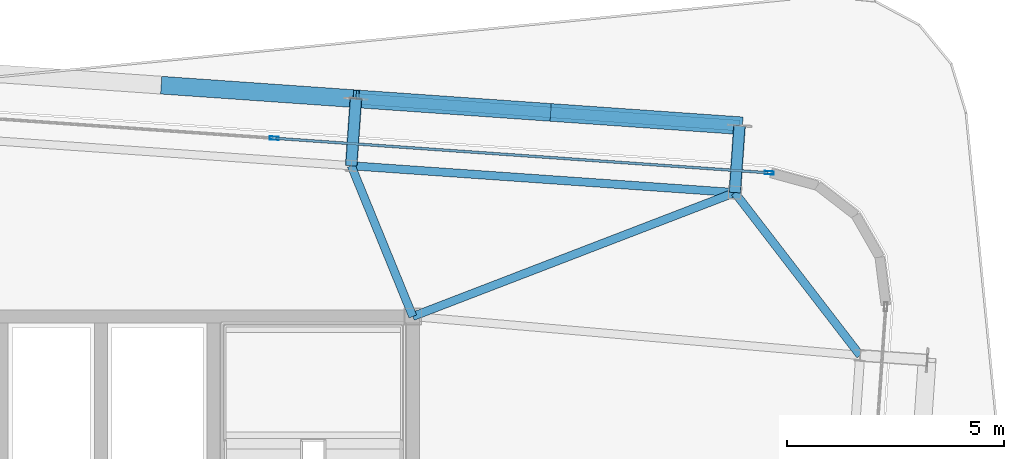
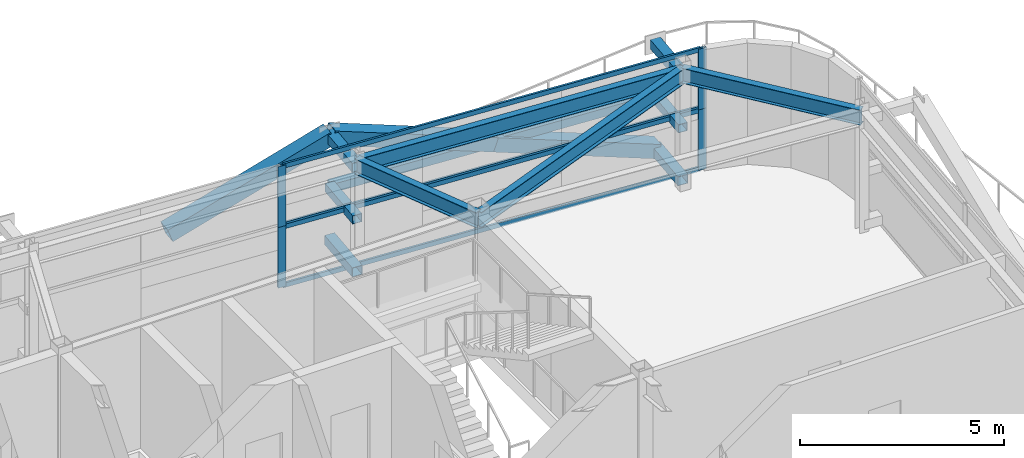
# One storey, part 22 of 36: 18 members, 4 beams, 2 elements without a shape of their own.
"""IFC4 building model written with IfcOpenShell, lengths in metres."""

import ifcopenshell
import ifcopenshell.guid

model = None  # the IFC model being written
_history = None  # IfcOwnerHistory: only IFC2X3 demands one
_inside = {}  # id of a spatial element -> (the spatial element, [elements in it])
_under = {}  # id of a project, library or spatial element -> (it, [spatial elements below it])
_declared = {}  # id of a project -> (the project, [libraries it declares])
_typed = {}  # id of a type object -> (the type object, [elements of that type])
_made_of = {}  # id of a material, layer set ... -> (it, [elements and type objects made of it])


def new_model(schema):
    """Start an empty IFC model of exactly this schema.

    Asked for "IFC4X3", IfcOpenShell would pick the latest addendum, in which some entities
    have other attributes; the version numbers below select the first issue.
    IFC2X3 requires an IfcOwnerHistory on every rooted entity: one is made here for all.
    """
    global model, _history
    if schema == "IFC4X3":
        model = ifcopenshell.file(schema_version=(4, 3, 0, 0))
    else:
        model = ifcopenshell.file(schema=schema)
    _inside.clear()
    _under.clear()
    _declared.clear()
    _typed.clear()
    _made_of.clear()
    _history = None
    if model.schema == "IFC2X3":
        org = make("IfcOrganization", Name="unknown")
        user = make(
            "IfcPersonAndOrganization",
            ThePerson=make("IfcPerson", FamilyName="unknown"),
            TheOrganization=org,
        )
        app = make(
            "IfcApplication",
            ApplicationDeveloper=org,
            Version="unknown",
            ApplicationFullName="unknown",
            ApplicationIdentifier="unknown",
        )
        _history = make(
            "IfcOwnerHistory",
            OwningUser=user,
            OwningApplication=app,
            ChangeAction="ADDED",
            CreationDate=0,
        )
    return model


def make(cls, **values):
    """One entity of the class cls with the attributes given. An attribute that is None is left unset."""
    return model.create_entity(
        cls, **{name: value for name, value in values.items() if value is not None}
    )


def rooted(cls, **values):
    """An entity with a GlobalId (a new one), such as an element, a storey or a relation."""
    return make(cls, GlobalId=ifcopenshell.guid.new(), OwnerHistory=_history, **values)


def si_unit(unit_type, name, prefix=None):
    """IfcSIUnit, for example si_unit("LENGTHUNIT", "METRE", prefix="MILLI")."""
    return make("IfcSIUnit", UnitType=unit_type, Prefix=prefix, Name=name)


def assignment(units):
    """IfcUnitAssignment: the units of a project."""
    return None if units is None else make("IfcUnitAssignment", Units=units)


def point(xyz):
    """IfcCartesianPoint."""
    return None if xyz is None else make("IfcCartesianPoint", Coordinates=xyz)


def direction(xyz):
    """IfcDirection."""
    return None if xyz is None else make("IfcDirection", DirectionRatios=xyz)


def frame(location, z_axis=None, x_axis=None):
    """IfcAxis2Placement3D, a coordinate frame: its origin and axes. An axis left out is left unset."""
    return make(
        "IfcAxis2Placement3D",
        Location=point(location),
        Axis=direction(z_axis),
        RefDirection=direction(x_axis),
    )


def frame_2d(location, x_axis=None):
    """IfcAxis2Placement2D, a coordinate frame in the plane: its origin and x axis."""
    return make(
        "IfcAxis2Placement2D", Location=point(location), RefDirection=direction(x_axis)
    )


def origin():
    """The frame at (0, 0, 0) with its axes left unset."""
    return frame((0.0, 0.0, 0.0))


def origin_2d():
    """The frame at (0, 0) in the plane with its x axis left unset."""
    return frame_2d((0.0, 0.0))


def place(relative_to, where):
    """IfcLocalPlacement: puts the frame where relative to a parent placement (None: the world)."""
    return make(
        "IfcLocalPlacement", PlacementRelTo=relative_to, RelativePlacement=where
    )


def context(
    kind, dimensions, precision=None, world=None, true_north=None, identifier=None
):
    """IfcGeometricRepresentationContext, for example the 3D "Model" context."""
    return make(
        "IfcGeometricRepresentationContext",
        ContextIdentifier=identifier,
        ContextType=kind,
        CoordinateSpaceDimension=dimensions,
        Precision=precision,
        WorldCoordinateSystem=world,
        TrueNorth=true_north,
    )


def subcontext(parent, identifier, kind, view, scale=None):
    """IfcGeometricRepresentationSubContext, for example "Body" below "Model"."""
    return make(
        "IfcGeometricRepresentationSubContext",
        ContextIdentifier=identifier,
        ContextType=kind,
        ParentContext=parent,
        TargetScale=scale,
        TargetView=view,
    )


def project(units=None, contexts=None):
    """IfcProject with its units and contexts."""
    return rooted(
        "IfcProject",
        Name="project",
        RepresentationContexts=contexts,
        UnitsInContext=assignment(units),
    )


def spatial(cls, under=None, at=None, **own):
    """A site, building, storey or space (cls), placed at a placement, below another one or the project."""
    s = rooted(cls, ObjectPlacement=at, **own)
    if under is not None:
        _under.setdefault(under.id(), (under, []))[1].append(s)
    return s


def profile(cls, at=None, kind="AREA", **sizes):
    """A parametric profile (cls). Its sizes go by their IFC names, for example OverallWidth=200.0."""
    return make(cls, ProfileType=kind, Position=at, **sizes)


def hollow_rectangle(**sizes):
    """IfcRectangleHollowProfileDef."""
    return profile("IfcRectangleHollowProfileDef", **sizes)


def i_section(**sizes):
    """IfcIShapeProfileDef."""
    return profile("IfcIShapeProfileDef", **sizes)


def extrude(swept, where, along, depth):
    """IfcExtrudedAreaSolid: the profile swept, set in the frame where, extruded along a direction by depth."""
    return make(
        "IfcExtrudedAreaSolid",
        SweptArea=swept,
        Position=where,
        ExtrudedDirection=direction(along),
        Depth=depth,
    )


def shape(context_of_items, identifier, shape_type, items):
    """IfcShapeRepresentation: the items that make up one representation, for example the "Body"."""
    return make(
        "IfcShapeRepresentation",
        ContextOfItems=context_of_items,
        RepresentationIdentifier=identifier,
        RepresentationType=shape_type,
        Items=items,
    )


def source(mapping_origin, context_of_items, identifier, shape_type, items):
    """IfcRepresentationMap: a shape defined once, which mapped items show again and again."""
    return make(
        "IfcRepresentationMap",
        MappingOrigin=mapping_origin,
        MappedRepresentation=shape(context_of_items, identifier, shape_type, items),
    )


def transform(
    local_origin,
    x_axis=None,
    y_axis=None,
    z_axis=None,
    scale=None,
    scale2=None,
    scale3=None,
    uniform=True,
):
    """IfcCartesianTransformationOperator3D, or its non-uniform kind. x_axis, y_axis, z_axis: its Axis1, 2, 3."""
    if uniform:
        return make(
            "IfcCartesianTransformationOperator3D",
            Axis1=direction(x_axis),
            Axis2=direction(y_axis),
            LocalOrigin=point(local_origin),
            Scale=scale,
            Axis3=direction(z_axis),
        )
    return make(
        "IfcCartesianTransformationOperator3DnonUniform",
        Axis1=direction(x_axis),
        Axis2=direction(y_axis),
        LocalOrigin=point(local_origin),
        Scale=scale,
        Axis3=direction(z_axis),
        Scale2=scale2,
        Scale3=scale3,
    )


def mapped(mapping_source, mapping_target):
    """IfcMappedItem: shows the shape of a source again, moved by a transform."""
    return make(
        "IfcMappedItem", MappingSource=mapping_source, MappingTarget=mapping_target
    )


def material(Name=None, Category=None):
    """IfcMaterial."""
    return make("IfcMaterial", Name=Name, Category=Category)


def layer(
    of_material, thickness, ventilated=None, Name=None, Category=None, Priority=None
):
    """IfcMaterialLayer: one layer of a wall or slab, of a material (None: an air gap)."""
    return make(
        "IfcMaterialLayer",
        Material=of_material,
        LayerThickness=thickness,
        IsVentilated=ventilated,
        Name=Name,
        Category=Category,
        Priority=Priority,
    )


def layer_set(layers, Name=None):
    """IfcMaterialLayerSet."""
    return make("IfcMaterialLayerSet", MaterialLayers=layers, LayerSetName=Name)


def material_profile(
    of_material, cross_section, Name=None, Category=None, Priority=None
):
    """IfcMaterialProfile: a cross section and its material."""
    return make(
        "IfcMaterialProfile",
        Name=Name,
        Material=of_material,
        Profile=cross_section,
        Priority=Priority,
        Category=Category,
    )


def profile_set(profiles, Name=None, composite=None):
    """IfcMaterialProfileSet."""
    return make(
        "IfcMaterialProfileSet",
        Name=Name,
        MaterialProfiles=profiles,
        CompositeProfile=composite,
    )


def made_of(thing, what):
    """Note that an element or type object is made of a material, layer set ...; save() writes the relation."""
    if what is not None:
        _made_of.setdefault(what.id(), (what, []))[1].append(thing)
    return thing


def type_object(cls, material=None, **own):
    """A type object (cls), such as IfcWallType, which elements share."""
    return made_of(rooted(cls, **own), material)


def element(
    cls,
    number,
    at=None,
    inside=None,
    cuts=None,
    type_object=None,
    material=None,
    context=None,
    identifier="Body",
    shape_type=None,
    held_by="IfcProductDefinitionShape",
    body=None,
    shapes=None,
    **own,
):
    """One element of the class cls, such as IfcWall. Its Tag is "e" and its number.

    at: its placement. inside: the storey or other place that contains it. cuts: it is an
    opening in that element (IfcRelVoidsElement). A single representation is given by context,
    identifier, shape_type and body (its items); several are given by shapes. held_by: the class
    of the entity that holds the representations. save() writes the other relations.
    """
    e = rooted(cls, Tag="e%d" % number, ObjectPlacement=at, **own)
    if body is not None:
        shapes = [shape(context, identifier, shape_type, body)]
    if shapes is not None:
        e.Representation = make(held_by, Representations=shapes)
    if inside is not None:
        _inside.setdefault(inside.id(), (inside, []))[1].append(e)
    if cuts is not None:
        rooted(
            "IfcRelVoidsElement", RelatingBuildingElement=cuts, RelatedOpeningElement=e
        )
    if type_object is not None:
        _typed.setdefault(type_object.id(), (type_object, []))[1].append(e)
    return made_of(e, material)


def aggregate(whole, parts):
    """IfcRelAggregates: a whole, such as a stair, and the parts it consists of."""
    return rooted("IfcRelAggregates", RelatingObject=whole, RelatedObjects=parts)


def save(model, path):
    """Write the relations noted so far, then the file.

    IfcRelAggregates (storeys below a building ...), IfcRelContainedInSpatialStructure (elements
    in a storey), IfcRelDefinesByType, IfcRelAssociatesMaterial and IfcRelDeclares: one each for
    every whole, place, type object, material and project.
    """
    for whole, parts in _under.values():
        aggregate(whole, parts)
    for where, things in _inside.values():
        rooted(
            "IfcRelContainedInSpatialStructure",
            RelatedElements=things,
            RelatingStructure=where,
        )
    for kind, things in _typed.values():
        rooted("IfcRelDefinesByType", RelatedObjects=things, RelatingType=kind)
    for what, things in _made_of.values():
        rooted("IfcRelAssociatesMaterial", RelatedObjects=things, RelatingMaterial=what)
    for by, libraries in _declared.values():
        rooted("IfcRelDeclares", RelatingContext=by, RelatedDefinitions=libraries)
    model.write(path)


model = new_model("IFC4")

# Units and contexts
model_context = context("Model", 3, precision=1e-05, world=origin(), true_north=direction((0.0, 1.0)))
body_context = subcontext(model_context, "Body", "Model", "MODEL_VIEW")
ifc_project = project(units=[si_unit("LENGTHUNIT", "METRE"), si_unit("AREAUNIT", "SQUARE_METRE"), si_unit("VOLUMEUNIT", "CUBIC_METRE"), si_unit("PLANEANGLEUNIT", "RADIAN"), si_unit("MASSUNIT", "GRAM", prefix="KILO")], contexts=[model_context])

# Site, building, storey
site_placement = place(None, origin())
site = spatial("IfcSite", under=ifc_project, at=site_placement, CompositionType="ELEMENT")
building_placement = place(site_placement, origin())
building = spatial("IfcBuilding", under=site, at=building_placement, Name="Taldren Reach Tower", CompositionType="ELEMENT")
storey_placement = place(building_placement, frame((0.0, 0.0, 116.550048828125)))
storey = spatial("IfcBuildingStorey", under=building, at=storey_placement, Name="L35", CompositionType="ELEMENT", Elevation=116.550048828125)

# Members
ifc_material_1 = material(Name="Steel Gr 450 (C450L0)", Category="steel")
ifc_material_profile_1 = material_profile(ifc_material_1, hollow_rectangle(XDim=0.27490234375, YDim=0.27490234375, WallThickness=0.00927734375, at=origin_2d()), Name="275x275x9.3SHS")
ifc_profile_set_1 = profile_set([ifc_material_profile_1], Name="Steel Gr 450 (C450L0)")
member_type_1 = type_object("IfcMemberType", Name="MB-TIE273", PredefinedType="STRUT", material=ifc_profile_set_1)
shared_shape_1 = source(origin(), body_context, "Body", "SweptSolid", [
    extrude(hollow_rectangle(XDim=0.27490234375, YDim=0.27490234375, WallThickness=0.00927734375, at=origin_2d()), origin(), (0.0, 0.0, 1.0), 1.5498046875),
])
for number, where, z_axis, x_axis, name in (
    (1, (58.4365234375, 34.861572265625, 3.349853515625), (0.069780535098, 0.997562367434, 0.0), (-0.997562367434, 0.069780535098, 0.0), "Exoskeleton diaphragm tie strut B3-N6 L35"),
    (2, (58.4365234375, 34.861572265625, 0.219970703125), (0.069780535098, 0.997562367434, 0.0), (-0.997562367434, 0.069780535098, 0.0), "Exoskeleton base diaphragm tie strut B3-N6 L35"),
):
    element("IfcMember", number, at=place(storey_placement, frame(where, z_axis=z_axis, x_axis=x_axis)), inside=storey, type_object=member_type_1, Name=name, PredefinedType="STRUT", context=body_context, shape_type="MappedRepresentation", body=[
        mapped(shared_shape_1, transform((0.0, 0.0, 0.0), scale=1.0)),
    ])
ifc_material_2 = material(Name="Steel Gr 350 (C350L0)", Category="steel")
ifc_material_profile_2 = material_profile(ifc_material_2, hollow_rectangle(XDim=0.25, YDim=0.25, WallThickness=0.010009765625, at=origin_2d()), Name="250x250x10.0SHS")
ifc_profile_set_2 = profile_set([ifc_material_profile_2], Name="Steel Gr 350 (C350L0)")
member_type_2 = type_object("IfcMemberType", Name="MB-POST250", PredefinedType="POST", material=ifc_profile_set_2)
shared_shape_2 = source(origin(), body_context, "Body", "SweptSolid", [
    extrude(hollow_rectangle(XDim=0.25, YDim=0.25, WallThickness=0.010009765625, at=origin_2d()), origin(), (0.0, 0.0, 1.0), 1.5498046875),
])
member_1_placement = place(storey_placement, frame((58.4365234375, 34.861572265625, 1.784912109375), z_axis=(0.069780535098, 0.997562367434, 0.0), x_axis=(-0.997562367434, 0.069780535098, 0.0)))
element("IfcMember", 3, at=member_1_placement, inside=storey, type_object=member_type_2, Name="Exoskeleton mid-tier diaphragm tie B3-N6 L35", PredefinedType="POST", context=body_context, shape_type="MappedRepresentation", body=[
    mapped(shared_shape_2, transform((0.0, 0.0, 0.0), scale=1.0)),
])
shared_shape_3 = source(origin(), body_context, "Body", "SweptSolid", [
    extrude(hollow_rectangle(XDim=0.27490234375, YDim=0.27490234375, WallThickness=0.00927734375, at=origin_2d()), origin(), (0.0, 0.0, 1.0), 1.550048828125),
])
for number, where, z_axis, x_axis, name in (
    (4, (49.578125, 35.48095703125, 3.349853515625), (0.06976957191, 0.99756313426, 0.0), (-0.99756313426, 0.06976957191, 0.0), "Exoskeleton diaphragm tie strut B3-N5 L35"),
    (5, (49.578125, 35.48095703125, 0.219970703125), (0.06976957191, 0.99756313426, 0.0), (-0.99756313426, 0.06976957191, 0.0), "Exoskeleton base diaphragm tie strut B3-N5 L35"),
):
    element("IfcMember", number, at=place(storey_placement, frame(where, z_axis=z_axis, x_axis=x_axis)), inside=storey, type_object=member_type_1, Name=name, PredefinedType="STRUT", context=body_context, shape_type="MappedRepresentation", body=[
        mapped(shared_shape_3, transform((0.0, 0.0, 0.0), scale=1.0)),
    ])
shared_shape_4 = source(origin(), body_context, "Body", "SweptSolid", [
    extrude(hollow_rectangle(XDim=0.25, YDim=0.25, WallThickness=0.010009765625, at=origin_2d()), origin(), (0.0, 0.0, 1.0), 1.550048828125),
])
member_2_placement = place(storey_placement, frame((49.578125, 35.48095703125, 1.784912109375), z_axis=(0.06976957191, 0.99756313426, 0.0), x_axis=(-0.99756313426, 0.06976957191, 0.0)))
element("IfcMember", 6, at=member_2_placement, inside=storey, type_object=member_type_2, Name="Exoskeleton mid-tier diaphragm tie B3-N5 L35", PredefinedType="POST", context=body_context, shape_type="MappedRepresentation", body=[
    mapped(shared_shape_4, transform((0.0, 0.0, 0.0), scale=1.0)),
])

# Beams
ifc_material_3 = material(Name="Steel Gr 350 (350PLUS)", Category="steel")
ifc_material_profile_3 = material_profile(ifc_material_3, i_section(OverallWidth=0.18994140625, OverallDepth=0.4541015625, WebThickness=0.008544921875, FlangeThickness=0.0126953125, at=origin_2d()), Name="460UB67.1")
ifc_profile_set_3 = profile_set([ifc_material_profile_3], Name="Steel Gr 350 (350PLUS)")
beam_type_1 = type_object("IfcBeamType", Name="SP-UB460B", PredefinedType="SPANDREL", material=ifc_profile_set_3)
shared_shape_5 = source(origin(), body_context, "Body", "SweptSolid", [
    extrude(i_section(OverallWidth=0.18994140625, OverallDepth=0.4541015625, WebThickness=0.008544921875, FlangeThickness=0.0126953125, at=origin_2d()), origin(), (0.0, 0.0, 1.0), 8.880126953125),
])
beam_1_placement = place(storey_placement, frame((58.4365234375, 34.861572265625, 3.40283203125), z_axis=(-0.997564479639, 0.069750333063, 0.0), x_axis=(-0.069750333063, -0.997564479639, 0.0)))
element("IfcBeam", 7, at=beam_1_placement, inside=storey, type_object=beam_type_1, Name="Perimeter spandrel B3 N6-N5 L35", PredefinedType="SPANDREL", context=body_context, shape_type="MappedRepresentation", body=[
    mapped(shared_shape_5, transform((0.0, 0.0, 0.0), scale=1.0)),
])
shared_shape_6 = source(origin(), body_context, "Body", "SweptSolid", [
    extrude(i_section(OverallWidth=0.18994140625, OverallDepth=0.4541015625, WebThickness=0.008544921875, FlangeThickness=0.0126953125, at=origin_2d()), origin(), (0.0, 0.0, 1.0), 4.745849609375),
])
beam_2_placement = place(storey_placement, frame((61.3310546875, 31.1005859375, 3.40283203125), z_axis=(-0.609904656723, 0.792474800677, 0.0), x_axis=(-0.792474800677, -0.609904656723, 0.0)))
element("IfcBeam", 8, at=beam_2_placement, inside=storey, type_object=beam_type_1, Name="Perimeter spandrel B3 E3-N6 L35", PredefinedType="SPANDREL", context=body_context, shape_type="MappedRepresentation", body=[
    mapped(shared_shape_6, transform((0.0, 0.0, 0.0), scale=1.0)),
])
ifc_material_profile_4 = material_profile(ifc_material_3, i_section(OverallWidth=0.19091796875, OverallDepth=0.4599609375, WebThickness=0.010009765625, FlangeThickness=0.01611328125, at=origin_2d()), Name="460UB82.1")
ifc_profile_set_4 = profile_set([ifc_material_profile_4], Name="Steel Gr 350 (350PLUS)")
beam_type_2 = type_object("IfcBeamType", Name="BM-UB460A", PredefinedType="BEAM", material=ifc_profile_set_4)
shared_shape_7 = source(origin(), body_context, "Body", "SweptSolid", [
    extrude(i_section(OverallWidth=0.19091796875, OverallDepth=0.4599609375, WebThickness=0.010009765625, FlangeThickness=0.01611328125, at=origin_2d()), origin(), (0.0, 0.0, 1.0), 7.968017578125),
])
beam_3_placement = place(storey_placement, frame((51.0, 32.0, 3.39990234375), z_axis=(0.933287947144, 0.359128956943, 0.0), x_axis=(-0.359128956943, 0.933287947144, 0.0)))
element("IfcBeam", 9, at=beam_3_placement, inside=storey, type_object=beam_type_2, Name="Primary floor girder B3-N6 L35", PredefinedType="BEAM", context=body_context, shape_type="MappedRepresentation", body=[
    mapped(shared_shape_7, transform((0.0, 0.0, 0.0), scale=1.0)),
])
shared_shape_8 = source(origin(), body_context, "Body", "SweptSolid", [
    extrude(i_section(OverallWidth=0.19091796875, OverallDepth=0.4599609375, WebThickness=0.010009765625, FlangeThickness=0.01611328125, at=origin_2d()), origin(), (0.0, 0.0, 1.0), 3.76025390625),
])
beam_4_placement = place(storey_placement, frame((51.0, 32.0, 3.39990234375), z_axis=(-0.37814232545, 0.925747471886, 0.0), x_axis=(-0.925747471886, -0.37814232545, 0.0)))
element("IfcBeam", 10, at=beam_4_placement, inside=storey, type_object=beam_type_2, Name="Primary floor girder B3-N5 L35", PredefinedType="BEAM", context=body_context, shape_type="MappedRepresentation", body=[
    mapped(shared_shape_8, transform((0.0, 0.0, 0.0), scale=1.0)),
])

# Members
ifc_material_profile_5 = material_profile(ifc_material_1, hollow_rectangle(XDim=0.409912109375, YDim=0.409912109375, WallThickness=0.01611328125, at=origin_2d()), Name="410x410x16.0SHS")
ifc_profile_set_5 = profile_set([ifc_material_profile_5], Name="Steel Gr 450 (C450L0)")
member_type_3 = type_object("IfcMemberType", Name="MB-EXO406", PredefinedType="BRACE", material=ifc_profile_set_5)
shared_shape_9 = source(origin(), body_context, "Body", "SweptSolid", [
    extrude(hollow_rectangle(XDim=0.409912109375, YDim=0.409912109375, WallThickness=0.01611328125, at=origin_2d()), origin(), (0.0, 0.0, 1.0), 4.707763671875),
])
for number, where, z_axis, x_axis, name in (
    (11, (45.257080078125, 37.3369140625, 1.784912109375), (0.940836301296, -0.065757933527, 0.332419837466), (0.069722973508, 0.997566392259, 0.0), "Exoskeleton Diagrid Brace B3-N4 L35"),
    (12, (58.544677734375, 36.40771484375, 0.219970703125), (-0.940833091628, 0.065809568585, 0.332418703414), (-0.06977769246, -0.997562566276, 0.0), "Exoskeleton Diagrid Brace B3-N5 L35"),
    (13, (54.115478515625, 36.717529296875, 1.784912109375), (-0.940833091628, 0.065809568585, 0.332418703414), (-0.06977769246, -0.997562566276, 0.0), "Exoskeleton Diagrid Brace B3-N5 L35"),
):
    element("IfcMember", number, at=place(storey_placement, frame(where, z_axis=z_axis, x_axis=x_axis)), inside=storey, type_object=member_type_3, Name=name, PredefinedType="BRACE", context=body_context, shape_type="MappedRepresentation", body=[
        mapped(shared_shape_9, transform((0.0, 0.0, 0.0), scale=1.0)),
    ])
shared_shape_10 = source(origin(), body_context, "Body", "SweptSolid", [
    extrude(hollow_rectangle(XDim=0.25, YDim=0.25, WallThickness=0.010009765625, at=origin_2d()), origin(), (0.0, 0.0, 1.0), 8.880126953125),
])
member_3_placement = place(storey_placement, frame((49.686279296875, 37.02734375, 1.784912109375), z_axis=(0.997562566276, -0.06977769246, 0.0), x_axis=(0.06977769246, 0.997562566276, 0.0)))
element("IfcMember", 14, at=member_3_placement, inside=storey, type_object=member_type_2, Name="Exoskeleton mid-height ring chord B3-N5 L35", PredefinedType="POST", context=body_context, shape_type="MappedRepresentation", body=[
    mapped(shared_shape_10, transform((0.0, 0.0, 0.0), scale=1.0)),
])

# Curtain wall, members
ifc_material_4 = material(Name="Aluminium and Low-E Glass Unitised System", Category="aluminium")
ifc_layer = layer(ifc_material_4, 0.159912109375)
ifc_layer_set = layer_set([ifc_layer], Name="Aluminium and Low-E Glass Unitised System")
curtain_wall_type = type_object("IfcCurtainWallType", Name="CW-SYS-7", PredefinedType="NOTDEFINED", material=ifc_layer_set)
curtain_wall_1_placement = place(storey_placement, origin())
curtain_wall_1 = element("IfcCurtainWall", 15, at=curtain_wall_1_placement, inside=storey, type_object=curtain_wall_type, Name="Unitised curtain wall CW-L35-N", PredefinedType="NOTDEFINED")
ifc_material_5 = material(Name="Anodised Aluminium 6063-T6", Category="aluminium")
ifc_material_profile_6 = material_profile(ifc_material_5, hollow_rectangle(XDim=0.074951171875, YDim=0.2099609375, WallThickness=0.00439453125, at=origin_2d()), Name="ALU-210x75x4.5RHS")
ifc_profile_set_6 = profile_set([ifc_material_profile_6], Name="Anodised Aluminium 6063-T6")
member_type_4 = type_object("IfcMemberType", Name="CW-MUL-200", PredefinedType="MULLION", material=ifc_profile_set_6)
shared_shape_11 = source(origin(), body_context, "Body", "SweptSolid", [
    extrude(hollow_rectangle(XDim=0.074951171875, YDim=0.2099609375, WallThickness=0.00439453125, at=origin_2d()), origin(), (0.0, 0.0, 1.0), 1.81494140625),
])
member_4_placement = place(storey_placement, frame((59.232666015625, 35.317138671875, 0.0), z_axis=(0.0, 0.0, 1.0), x_axis=(-0.06975651593, -0.99756404731, 0.0)))
member_4 = element("IfcMember", 16, at=member_4_placement, type_object=member_type_4, Name="CW-7 mullion 1", PredefinedType="MULLION", context=body_context, shape_type="MappedRepresentation", body=[
    mapped(shared_shape_11, transform((0.0, 0.0, 0.0), scale=1.0)),
])
member_5_placement = place(storey_placement, frame((47.798095703125, 36.11669921875, 0.0), z_axis=(0.0, 0.0, 1.0), x_axis=(-0.06975651593, -0.99756404731, 0.0)))
member_5 = element("IfcMember", 17, at=member_5_placement, type_object=member_type_4, Name="CW-7 mullion 2", PredefinedType="MULLION", context=body_context, shape_type="MappedRepresentation", body=[
    mapped(shared_shape_11, transform((0.0, 0.0, 0.0), scale=1.0)),
])

curtain_wall_2_placement = place(storey_placement, origin())
curtain_wall_2 = element("IfcCurtainWall", 18, at=curtain_wall_2_placement, inside=storey, type_object=curtain_wall_type, Name="Unitised curtain wall CW-L35-N-T2", PredefinedType="NOTDEFINED")
member_6_placement = place(storey_placement, frame((59.232666015625, 35.317138671875, 1.81494140625), z_axis=(0.0, 0.0, 1.0), x_axis=(-0.06975651593, -0.99756404731, 0.0)))
member_6 = element("IfcMember", 19, at=member_6_placement, type_object=member_type_4, Name="CW-7 mullion 1", PredefinedType="MULLION", context=body_context, shape_type="MappedRepresentation", body=[
    mapped(shared_shape_11, transform((0.0, 0.0, 0.0), scale=1.0)),
])
member_7_placement = place(storey_placement, frame((47.798095703125, 36.11669921875, 1.81494140625), z_axis=(0.0, 0.0, 1.0), x_axis=(-0.06975651593, -0.99756404731, 0.0)))
member_7 = element("IfcMember", 20, at=member_7_placement, type_object=member_type_4, Name="CW-7 mullion 2", PredefinedType="MULLION", context=body_context, shape_type="MappedRepresentation", body=[
    mapped(shared_shape_11, transform((0.0, 0.0, 0.0), scale=1.0)),
])

# Member
ifc_material_profile_7 = material_profile(ifc_material_5, hollow_rectangle(XDim=0.06005859375, YDim=0.135009765625, WallThickness=0.00341796875, at=origin_2d()), Name="ALU-135x60x3.5RHS")
ifc_profile_set_7 = profile_set([ifc_material_profile_7], Name="Anodised Aluminium 6063-T6")
member_type_5 = type_object("IfcMemberType", Name="CW-TRN-150", PredefinedType="USERDEFINED", material=ifc_profile_set_7)
shared_shape_12 = source(origin(), body_context, "Body", "SweptSolid", [
    extrude(hollow_rectangle(XDim=0.06005859375, YDim=0.135009765625, WallThickness=0.00341796875, at=origin_2d()), origin(), (0.0, 0.0, 1.0), 11.3876953125),
])
member_8_placement = place(storey_placement, frame((59.1953125, 35.31982421875, 0.030029296875), z_axis=(-0.997565086349, 0.069741655403, 0.0), x_axis=(-0.069741655403, -0.997565086349, 0.0)))
member_8 = element("IfcMember", 21, at=member_8_placement, type_object=member_type_5, Name="CW-7 transom 1.1", ObjectType="TRANSOM", PredefinedType="USERDEFINED", context=body_context, shape_type="MappedRepresentation", body=[
    mapped(shared_shape_12, transform((0.0, 0.0, 0.0), scale=1.0)),
])

member_9_placement = place(storey_placement, frame((59.1953125, 35.31982421875, 1.784912109375), z_axis=(-0.997565086349, 0.069741655403, 0.0), x_axis=(-0.069741655403, -0.997565086349, 0.0)))
member_9 = element("IfcMember", 22, at=member_9_placement, type_object=member_type_5, Name="CW-7 transom 1.2", ObjectType="TRANSOM", PredefinedType="USERDEFINED", context=body_context, shape_type="MappedRepresentation", body=[
    mapped(shared_shape_12, transform((0.0, 0.0, 0.0), scale=1.0)),
])

aggregate(curtain_wall_1, [member_4, member_5, member_8, member_9])

member_10_placement = place(storey_placement, frame((59.1953125, 35.31982421875, 1.844970703125), z_axis=(-0.997565086349, 0.069741655403, 0.0), x_axis=(-0.069741655403, -0.997565086349, 0.0)))
member_10 = element("IfcMember", 23, at=member_10_placement, type_object=member_type_5, Name="CW-7 transom 1.1", ObjectType="TRANSOM", PredefinedType="USERDEFINED", context=body_context, shape_type="MappedRepresentation", body=[
    mapped(shared_shape_12, transform((0.0, 0.0, 0.0), scale=1.0)),
])

member_11_placement = place(storey_placement, frame((59.1953125, 35.31982421875, 3.599853515625), z_axis=(-0.997565086349, 0.069741655403, 0.0), x_axis=(-0.069741655403, -0.997565086349, 0.0)))
member_11 = element("IfcMember", 24, at=member_11_placement, type_object=member_type_5, Name="CW-7 transom 1.2", ObjectType="TRANSOM", PredefinedType="USERDEFINED", context=body_context, shape_type="MappedRepresentation", body=[
    mapped(shared_shape_12, transform((0.0, 0.0, 0.0), scale=1.0)),
])

aggregate(curtain_wall_2, [member_6, member_7, member_10, member_11])

save(model, "model.ifc")
